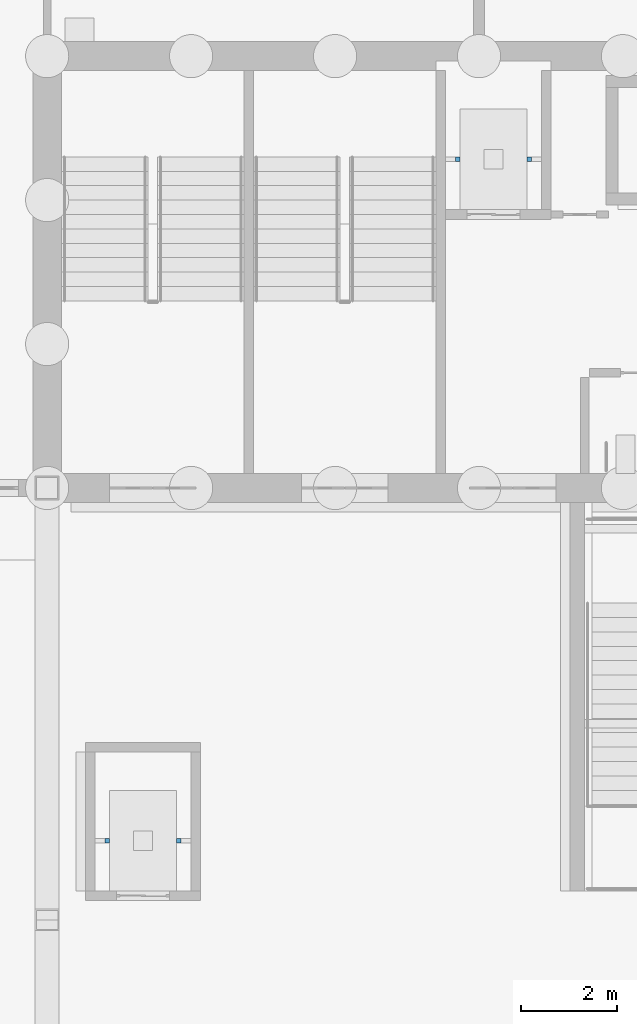
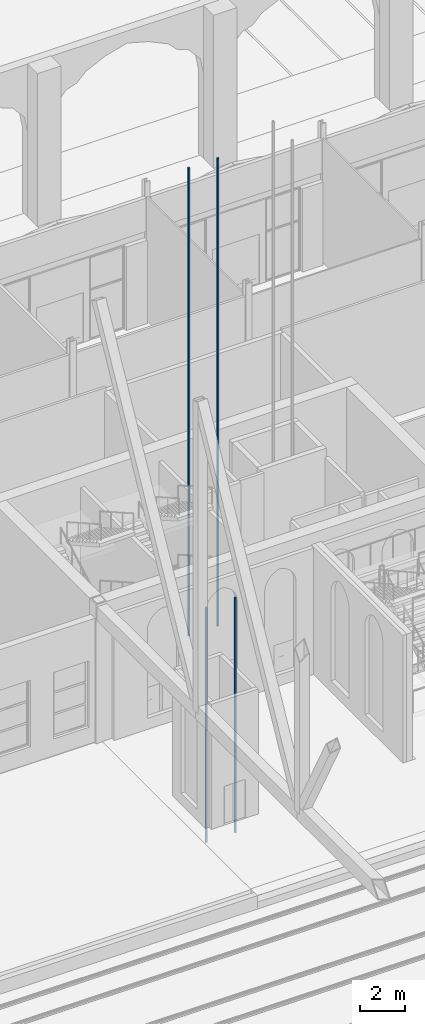
# One storey, part 150 of 250: 4 discrete accessories.
"""IFC4 building model written with IfcOpenShell, lengths in metres."""

from ifc_helpers import new_model, si_unit, direction, frame, origin, origin_2d, place, context, subcontext, project, spatial, rectangle, extrude, material, type_object, element, save


model = new_model("IFC4")

# Units and contexts
model_context = context("Model", 3, precision=1e-05, world=origin(), true_north=direction((0.0, 1.0)))
body_context = subcontext(model_context, "Body", "Model", "MODEL_VIEW")
ifc_project = project(units=[si_unit("LENGTHUNIT", "METRE"), si_unit("AREAUNIT", "SQUARE_METRE"), si_unit("VOLUMEUNIT", "CUBIC_METRE"), si_unit("PLANEANGLEUNIT", "RADIAN"), si_unit("MASSUNIT", "GRAM", prefix="KILO")], contexts=[model_context])

# Site, building, storey
site_placement = place(None, origin())
site = spatial("IfcSite", under=ifc_project, at=site_placement, CompositionType="ELEMENT")
building_placement = place(site_placement, origin())
building = spatial("IfcBuilding", under=site, at=building_placement, Name="Baradari Gate Terminus", CompositionType="ELEMENT")
storey_placement = place(building_placement, origin())
storey = spatial("IfcBuildingStorey", under=building, at=storey_placement, Name="L00", CompositionType="ELEMENT", Elevation=0.0)

# Discrete accessories
ifc_material = material(Name="Steel S355", Category="steel")
discrete_accessory_type = type_object("IfcDiscreteAccessoryType", Name="Lift guide rail GR-L1 90x90", PredefinedType="BRACKET", material=ifc_material)
for number, where, z_axis, x_axis, name in (
    (1, (80.554931640625, 87.85009765625, -1.60009765625), (0.0, 0.0, 1.0), (1.0, 0.0, 0.0), "Lift guide rail LGN1 1"),
    (2, (82.044921875, 87.85009765625, -1.60009765625), (0.0, 0.0, 1.0), (1.0, 0.0, 0.0), "Lift guide rail LGN1 2"),
):
    element("IfcDiscreteAccessory", number, at=place(storey_placement, frame(where, z_axis=z_axis, x_axis=x_axis)), inside=storey, type_object=discrete_accessory_type, Name=name, PredefinedType="BRACKET", context=body_context, shape_type="SweptSolid", body=[
        extrude(rectangle(XDim=0.090087890625, YDim=0.090087890625, at=origin_2d()), origin(), (0.0, 0.0, 1.0), 25.300048828125),
    ])
for number, where, z_axis, x_axis, name in (
    (3, (73.2548828125, 73.64990234375, -1.60009765625), (0.0, 0.0, 1.0), (1.0, 0.0, 0.0), "Lift guide rail LP2 1"),
    (4, (74.7451171875, 73.64990234375, -1.60009765625), (0.0, 0.0, 1.0), (1.0, 0.0, 0.0), "Lift guide rail LP2 2"),
):
    element("IfcDiscreteAccessory", number, at=place(storey_placement, frame(where, z_axis=z_axis, x_axis=x_axis)), inside=storey, type_object=discrete_accessory_type, Name=name, PredefinedType="BRACKET", context=body_context, shape_type="SweptSolid", body=[
        extrude(rectangle(XDim=0.090087890625, YDim=0.090087890625, at=origin_2d()), origin(), (0.0, 0.0, 1.0), 12.699951171875),
    ])

save(model, "model.ifc")
